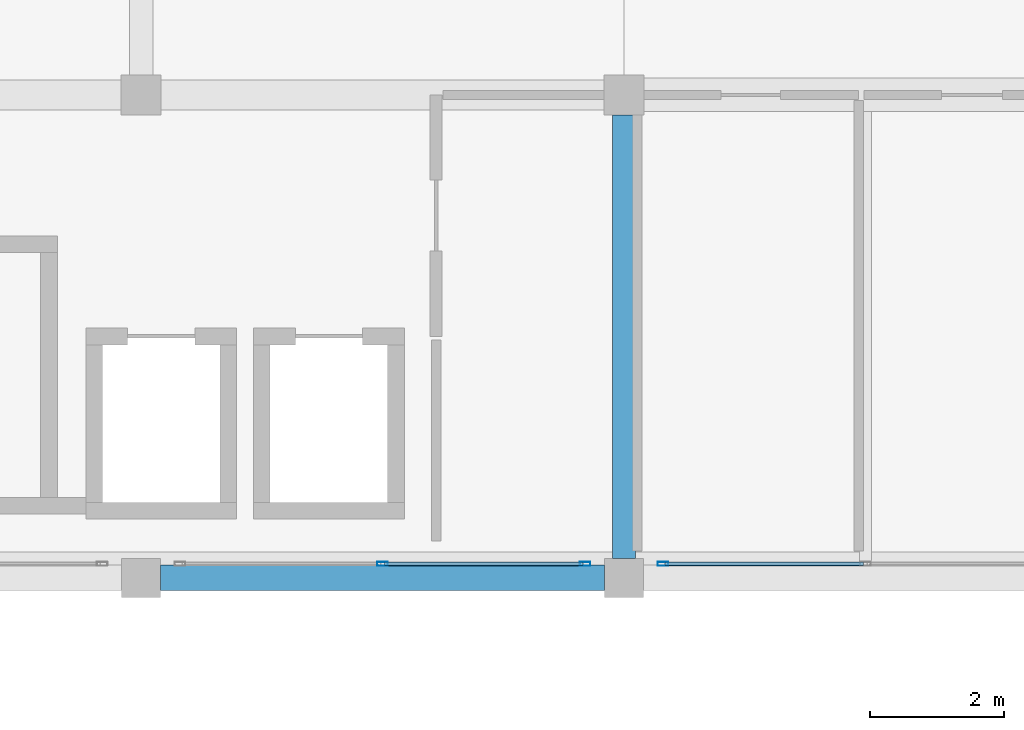
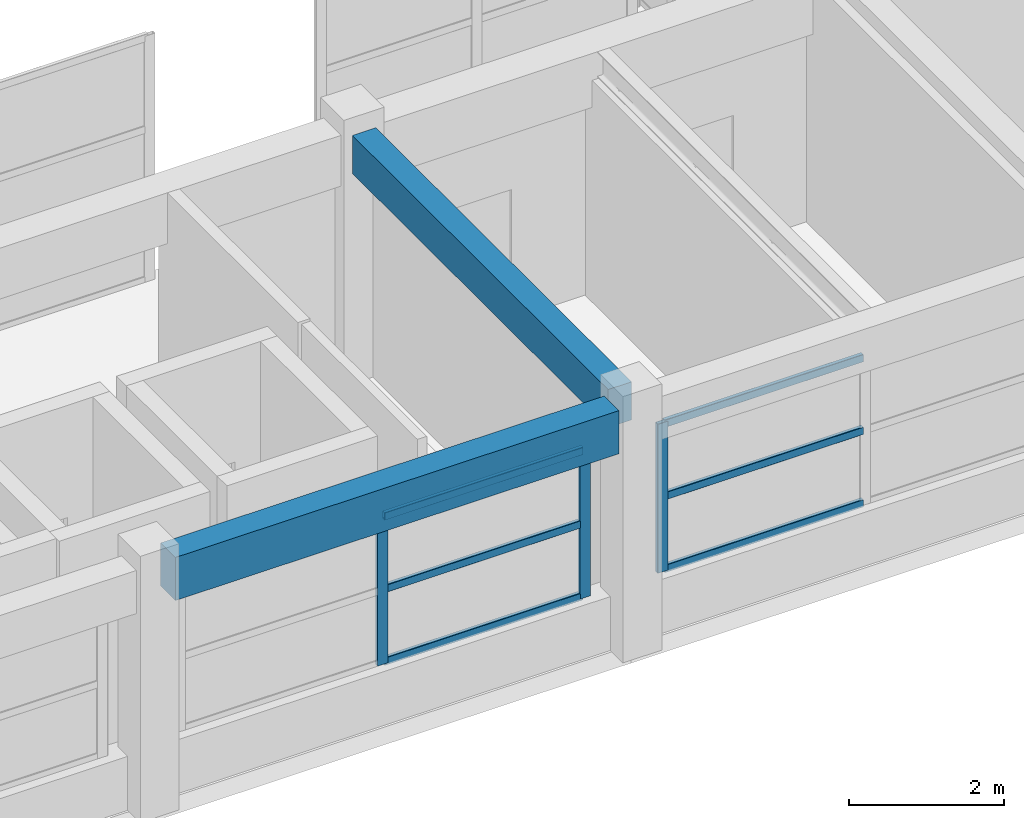
# One storey, part 10 of 49: 9 members, 2 beams, 2 elements without a shape of their own.
"""IFC4 building model written with IfcOpenShell, lengths in metres."""

import ifcopenshell
import ifcopenshell.guid

model = None  # the IFC model being written
_history = None  # IfcOwnerHistory: only IFC2X3 demands one
_inside = {}  # id of a spatial element -> (the spatial element, [elements in it])
_under = {}  # id of a project, library or spatial element -> (it, [spatial elements below it])
_declared = {}  # id of a project -> (the project, [libraries it declares])
_typed = {}  # id of a type object -> (the type object, [elements of that type])
_made_of = {}  # id of a material, layer set ... -> (it, [elements and type objects made of it])


def new_model(schema):
    """Start an empty IFC model of exactly this schema.

    Asked for "IFC4X3", IfcOpenShell would pick the latest addendum, in which some entities
    have other attributes; the version numbers below select the first issue.
    IFC2X3 requires an IfcOwnerHistory on every rooted entity: one is made here for all.
    """
    global model, _history
    if schema == "IFC4X3":
        model = ifcopenshell.file(schema_version=(4, 3, 0, 0))
    else:
        model = ifcopenshell.file(schema=schema)
    _inside.clear()
    _under.clear()
    _declared.clear()
    _typed.clear()
    _made_of.clear()
    _history = None
    if model.schema == "IFC2X3":
        org = make("IfcOrganization", Name="unknown")
        user = make(
            "IfcPersonAndOrganization",
            ThePerson=make("IfcPerson", FamilyName="unknown"),
            TheOrganization=org,
        )
        app = make(
            "IfcApplication",
            ApplicationDeveloper=org,
            Version="unknown",
            ApplicationFullName="unknown",
            ApplicationIdentifier="unknown",
        )
        _history = make(
            "IfcOwnerHistory",
            OwningUser=user,
            OwningApplication=app,
            ChangeAction="ADDED",
            CreationDate=0,
        )
    return model


def make(cls, **values):
    """One entity of the class cls with the attributes given. An attribute that is None is left unset."""
    return model.create_entity(
        cls, **{name: value for name, value in values.items() if value is not None}
    )


def rooted(cls, **values):
    """An entity with a GlobalId (a new one), such as an element, a storey or a relation."""
    return make(cls, GlobalId=ifcopenshell.guid.new(), OwnerHistory=_history, **values)


def si_unit(unit_type, name, prefix=None):
    """IfcSIUnit, for example si_unit("LENGTHUNIT", "METRE", prefix="MILLI")."""
    return make("IfcSIUnit", UnitType=unit_type, Prefix=prefix, Name=name)


def assignment(units):
    """IfcUnitAssignment: the units of a project."""
    return None if units is None else make("IfcUnitAssignment", Units=units)


def point(xyz):
    """IfcCartesianPoint."""
    return None if xyz is None else make("IfcCartesianPoint", Coordinates=xyz)


def direction(xyz):
    """IfcDirection."""
    return None if xyz is None else make("IfcDirection", DirectionRatios=xyz)


def frame(location, z_axis=None, x_axis=None):
    """IfcAxis2Placement3D, a coordinate frame: its origin and axes. An axis left out is left unset."""
    return make(
        "IfcAxis2Placement3D",
        Location=point(location),
        Axis=direction(z_axis),
        RefDirection=direction(x_axis),
    )


def frame_2d(location, x_axis=None):
    """IfcAxis2Placement2D, a coordinate frame in the plane: its origin and x axis."""
    return make(
        "IfcAxis2Placement2D", Location=point(location), RefDirection=direction(x_axis)
    )


def origin():
    """The frame at (0, 0, 0) with its axes left unset."""
    return frame((0.0, 0.0, 0.0))


def origin_2d():
    """The frame at (0, 0) in the plane with its x axis left unset."""
    return frame_2d((0.0, 0.0))


def place(relative_to, where):
    """IfcLocalPlacement: puts the frame where relative to a parent placement (None: the world)."""
    return make(
        "IfcLocalPlacement", PlacementRelTo=relative_to, RelativePlacement=where
    )


def context(
    kind, dimensions, precision=None, world=None, true_north=None, identifier=None
):
    """IfcGeometricRepresentationContext, for example the 3D "Model" context."""
    return make(
        "IfcGeometricRepresentationContext",
        ContextIdentifier=identifier,
        ContextType=kind,
        CoordinateSpaceDimension=dimensions,
        Precision=precision,
        WorldCoordinateSystem=world,
        TrueNorth=true_north,
    )


def subcontext(parent, identifier, kind, view, scale=None):
    """IfcGeometricRepresentationSubContext, for example "Body" below "Model"."""
    return make(
        "IfcGeometricRepresentationSubContext",
        ContextIdentifier=identifier,
        ContextType=kind,
        ParentContext=parent,
        TargetScale=scale,
        TargetView=view,
    )


def project(units=None, contexts=None):
    """IfcProject with its units and contexts."""
    return rooted(
        "IfcProject",
        Name="project",
        RepresentationContexts=contexts,
        UnitsInContext=assignment(units),
    )


def spatial(cls, under=None, at=None, **own):
    """A site, building, storey or space (cls), placed at a placement, below another one or the project."""
    s = rooted(cls, ObjectPlacement=at, **own)
    if under is not None:
        _under.setdefault(under.id(), (under, []))[1].append(s)
    return s


def profile(cls, at=None, kind="AREA", **sizes):
    """A parametric profile (cls). Its sizes go by their IFC names, for example OverallWidth=200.0."""
    return make(cls, ProfileType=kind, Position=at, **sizes)


def rectangle(**sizes):
    """IfcRectangleProfileDef."""
    return profile("IfcRectangleProfileDef", **sizes)


def hollow_rectangle(**sizes):
    """IfcRectangleHollowProfileDef."""
    return profile("IfcRectangleHollowProfileDef", **sizes)


def extrude(swept, where, along, depth):
    """IfcExtrudedAreaSolid: the profile swept, set in the frame where, extruded along a direction by depth."""
    return make(
        "IfcExtrudedAreaSolid",
        SweptArea=swept,
        Position=where,
        ExtrudedDirection=direction(along),
        Depth=depth,
    )


def shape(context_of_items, identifier, shape_type, items):
    """IfcShapeRepresentation: the items that make up one representation, for example the "Body"."""
    return make(
        "IfcShapeRepresentation",
        ContextOfItems=context_of_items,
        RepresentationIdentifier=identifier,
        RepresentationType=shape_type,
        Items=items,
    )


def material(Name=None, Category=None):
    """IfcMaterial."""
    return make("IfcMaterial", Name=Name, Category=Category)


def material_profile(
    of_material, cross_section, Name=None, Category=None, Priority=None
):
    """IfcMaterialProfile: a cross section and its material."""
    return make(
        "IfcMaterialProfile",
        Name=Name,
        Material=of_material,
        Profile=cross_section,
        Priority=Priority,
        Category=Category,
    )


def profile_set(profiles, Name=None, composite=None):
    """IfcMaterialProfileSet."""
    return make(
        "IfcMaterialProfileSet",
        Name=Name,
        MaterialProfiles=profiles,
        CompositeProfile=composite,
    )


def made_of(thing, what):
    """Note that an element or type object is made of a material, layer set ...; save() writes the relation."""
    if what is not None:
        _made_of.setdefault(what.id(), (what, []))[1].append(thing)
    return thing


def type_object(cls, material=None, **own):
    """A type object (cls), such as IfcWallType, which elements share."""
    return made_of(rooted(cls, **own), material)


def element(
    cls,
    number,
    at=None,
    inside=None,
    cuts=None,
    type_object=None,
    material=None,
    context=None,
    identifier="Body",
    shape_type=None,
    held_by="IfcProductDefinitionShape",
    body=None,
    shapes=None,
    **own,
):
    """One element of the class cls, such as IfcWall. Its Tag is "e" and its number.

    at: its placement. inside: the storey or other place that contains it. cuts: it is an
    opening in that element (IfcRelVoidsElement). A single representation is given by context,
    identifier, shape_type and body (its items); several are given by shapes. held_by: the class
    of the entity that holds the representations. save() writes the other relations.
    """
    e = rooted(cls, Tag="e%d" % number, ObjectPlacement=at, **own)
    if body is not None:
        shapes = [shape(context, identifier, shape_type, body)]
    if shapes is not None:
        e.Representation = make(held_by, Representations=shapes)
    if inside is not None:
        _inside.setdefault(inside.id(), (inside, []))[1].append(e)
    if cuts is not None:
        rooted(
            "IfcRelVoidsElement", RelatingBuildingElement=cuts, RelatedOpeningElement=e
        )
    if type_object is not None:
        _typed.setdefault(type_object.id(), (type_object, []))[1].append(e)
    return made_of(e, material)


def aggregate(whole, parts):
    """IfcRelAggregates: a whole, such as a stair, and the parts it consists of."""
    return rooted("IfcRelAggregates", RelatingObject=whole, RelatedObjects=parts)


def save(model, path):
    """Write the relations noted so far, then the file.

    IfcRelAggregates (storeys below a building ...), IfcRelContainedInSpatialStructure (elements
    in a storey), IfcRelDefinesByType, IfcRelAssociatesMaterial and IfcRelDeclares: one each for
    every whole, place, type object, material and project.
    """
    for whole, parts in _under.values():
        aggregate(whole, parts)
    for where, things in _inside.values():
        rooted(
            "IfcRelContainedInSpatialStructure",
            RelatedElements=things,
            RelatingStructure=where,
        )
    for kind, things in _typed.values():
        rooted("IfcRelDefinesByType", RelatedObjects=things, RelatingType=kind)
    for what, things in _made_of.values():
        rooted("IfcRelAssociatesMaterial", RelatedObjects=things, RelatingMaterial=what)
    for by, libraries in _declared.values():
        rooted("IfcRelDeclares", RelatingContext=by, RelatedDefinitions=libraries)
    model.write(path)


model = new_model("IFC4")

# Units and contexts
model_context = context("Model", 3, precision=1e-05, world=origin(), true_north=direction((0.0, 1.0)))
body_context = subcontext(model_context, "Body", "Model", "MODEL_VIEW")
ifc_project = project(units=[si_unit("LENGTHUNIT", "METRE"), si_unit("AREAUNIT", "SQUARE_METRE"), si_unit("VOLUMEUNIT", "CUBIC_METRE"), si_unit("PLANEANGLEUNIT", "RADIAN"), si_unit("MASSUNIT", "GRAM", prefix="KILO")], contexts=[model_context])

# Site, building, storey
site_placement = place(None, origin())
site = spatial("IfcSite", under=ifc_project, at=site_placement, CompositionType="ELEMENT")
building_placement = place(site_placement, origin())
building = spatial("IfcBuilding", under=site, at=building_placement, Name="Bramveld Media Centre", CompositionType="ELEMENT")
storey_placement = place(building_placement, frame((0.0, 0.0, 9.60009765625)))
storey = spatial("IfcBuildingStorey", under=building, at=storey_placement, Name="L02", CompositionType="ELEMENT", Elevation=9.60009765625)

# Beam
ifc_material_1 = material(Name="Concrete C40/50", Category="concrete")
ifc_material_profile_1 = material_profile(ifc_material_1, rectangle(XDim=0.35009765625, YDim=0.60009765625, at=origin_2d()), Name="RC 350x600")
ifc_profile_set_1 = profile_set([ifc_material_profile_1], Name="Concrete C40/50")
beam_type_1 = type_object("IfcBeamType", Name="BM-INT-RC-350x600", PredefinedType="BEAM", material=ifc_profile_set_1)
beam_1_placement = place(storey_placement, frame((87.199951171875, 90.68994140625, 3.619873046875), z_axis=(0.0, 1.0, 0.0), x_axis=(-1.0, 0.0, 0.0)))
element("IfcBeam", 1, at=beam_1_placement, inside=storey, type_object=beam_type_1, Name="V6 L02 girder Y-1102", PredefinedType="BEAM", context=body_context, shape_type="SweptSolid", body=[
    extrude(rectangle(XDim=0.35009765625, YDim=0.60009765625, at=origin_2d()), origin(), (0.0, 0.0, 1.0), 6.610107421875),
])

# Curtain wall, members
ifc_material_2 = material(Name="Thermally broken anodized bronze aluminium unitized curtain wall with solar-control triple glazing", Category="aluminium")
curtain_wall_type = type_object("IfcCurtainWallType", Name="CW-FACV6-6100x2350", PredefinedType="NOTDEFINED", material=ifc_material_2)
curtain_wall_1_placement = place(storey_placement, origin())
curtain_wall_1 = element("IfcCurtainWall", 2, at=curtain_wall_1_placement, inside=storey, type_object=curtain_wall_type, Name="V6 L02 S curtain wall bay 3", PredefinedType="NOTDEFINED")
ifc_material_3 = material(Name="Thermally broken anodized bronze aluminium EN AW-6063 T6 curtain-wall framing", Category="aluminium")
ifc_material_profile_2 = material_profile(ifc_material_3, hollow_rectangle(XDim=0.06005859375, YDim=0.159912109375, WallThickness=0.00390625, InnerFilletRadius=0.00390625, OuterFilletRadius=0.008056640625, at=origin_2d()), Name="AL-MULL 60x160")
ifc_profile_set_2 = profile_set([ifc_material_profile_2], Name="Thermally broken anodized bronze aluminium EN AW-6063 T6 curtain-wall framing")
member_type_1 = type_object("IfcMemberType", Name="CW-MULL-EXT", PredefinedType="MULLION", material=ifc_profile_set_2)
member_1_placement = place(storey_placement, frame((83.60009765625, 90.610107421875, 0.849853515625), z_axis=(0.0, 0.0, 1.0), x_axis=(0.0, 1.0, 0.0)))
member_1 = element("IfcMember", 3, at=member_1_placement, type_object=member_type_1, Name="CW-FA-6123 mullion 2", PredefinedType="MULLION", context=body_context, shape_type="SweptSolid", body=[
    extrude(hollow_rectangle(XDim=0.06005859375, YDim=0.159912109375, WallThickness=0.00390625, InnerFilletRadius=0.00390625, OuterFilletRadius=0.008056640625, at=origin_2d()), origin(), (0.0, 0.0, 1.0), 2.35009765625),
])
member_2_placement = place(storey_placement, frame((86.6201171875, 90.610107421875, 0.849853515625), z_axis=(0.0, 0.0, 1.0), x_axis=(0.0, 1.0, 0.0)))
member_2 = element("IfcMember", 4, at=member_2_placement, type_object=member_type_1, Name="CW-FA-6123 mullion 3", PredefinedType="MULLION", context=body_context, shape_type="SweptSolid", body=[
    extrude(hollow_rectangle(XDim=0.06005859375, YDim=0.159912109375, WallThickness=0.00390625, InnerFilletRadius=0.00390625, OuterFilletRadius=0.008056640625, at=origin_2d()), origin(), (0.0, 0.0, 1.0), 2.35009765625),
])

# Curtain wall, member
curtain_wall_2_placement = place(storey_placement, origin())
curtain_wall_2 = element("IfcCurtainWall", 5, at=curtain_wall_2_placement, inside=storey, type_object=curtain_wall_type, Name="V6 L02 S curtain wall bay 4", PredefinedType="NOTDEFINED")
member_3_placement = place(storey_placement, frame((87.780029296875, 90.610107421875, 0.849853515625), z_axis=(0.0, 0.0, 1.0), x_axis=(0.0, 1.0, 0.0)))
member_3 = element("IfcMember", 6, at=member_3_placement, type_object=member_type_1, Name="CW-FA-6123 mullion 1", PredefinedType="MULLION", context=body_context, shape_type="SweptSolid", body=[
    extrude(hollow_rectangle(XDim=0.06005859375, YDim=0.159912109375, WallThickness=0.00390625, InnerFilletRadius=0.00390625, OuterFilletRadius=0.008056640625, at=origin_2d()), origin(), (0.0, 0.0, 1.0), 2.35009765625),
])

# Member
ifc_material_4 = material(Name="Thermally broken anodized bronze aluminium EN AW-6063 T6 curtain-wall framing", Category="aluminium")
ifc_material_profile_3 = material_profile(ifc_material_4, hollow_rectangle(XDim=0.06005859375, YDim=0.1201171875, WallThickness=0.00341796875, InnerFilletRadius=0.00341796875, OuterFilletRadius=0.007080078125, at=origin_2d()), Name="AL-TRAN 60x120")
ifc_profile_set_3 = profile_set([ifc_material_profile_3], Name="Thermally broken anodized bronze aluminium EN AW-6063 T6 curtain-wall framing")
member_type_2 = type_object("IfcMemberType", Name="CW-TRAN-EXT", PredefinedType="USERDEFINED", material=ifc_profile_set_3)
member_4_placement = place(storey_placement, frame((83.6298828125, 90.610107421875, 0.8798828125), z_axis=(1.0, 0.0, 0.0), x_axis=(0.0, 1.0, 0.0)))
member_4 = element("IfcMember", 7, at=member_4_placement, type_object=member_type_2, Name="CW-FA-6123 transom 2.1", ObjectType="TRANSOM", PredefinedType="USERDEFINED", context=body_context, shape_type="SweptSolid", body=[
    extrude(hollow_rectangle(XDim=0.06005859375, YDim=0.1201171875, WallThickness=0.00341796875, InnerFilletRadius=0.00341796875, OuterFilletRadius=0.007080078125, at=origin_2d()), origin(), (0.0, 0.0, 1.0), 2.960205078125),
])

member_5_placement = place(storey_placement, frame((83.6298828125, 90.610107421875, 2.02490234375), z_axis=(1.0, 0.0, 0.0), x_axis=(0.0, 1.0, 0.0)))
member_5 = element("IfcMember", 8, at=member_5_placement, type_object=member_type_2, Name="CW-FA-6123 transom 2.2", ObjectType="TRANSOM", PredefinedType="USERDEFINED", context=body_context, shape_type="SweptSolid", body=[
    extrude(hollow_rectangle(XDim=0.06005859375, YDim=0.1201171875, WallThickness=0.00341796875, InnerFilletRadius=0.00341796875, OuterFilletRadius=0.007080078125, at=origin_2d()), origin(), (0.0, 0.0, 1.0), 2.960205078125),
])

member_6_placement = place(storey_placement, frame((83.6298828125, 90.610107421875, 3.169921875), z_axis=(1.0, 0.0, 0.0), x_axis=(0.0, 1.0, 0.0)))
member_6 = element("IfcMember", 9, at=member_6_placement, type_object=member_type_2, Name="CW-FA-6123 transom 2.3", ObjectType="TRANSOM", PredefinedType="USERDEFINED", context=body_context, shape_type="SweptSolid", body=[
    extrude(hollow_rectangle(XDim=0.06005859375, YDim=0.1201171875, WallThickness=0.00341796875, InnerFilletRadius=0.00341796875, OuterFilletRadius=0.007080078125, at=origin_2d()), origin(), (0.0, 0.0, 1.0), 2.960205078125),
])

aggregate(curtain_wall_1, [member_1, member_2, member_4, member_5, member_6])

member_7_placement = place(storey_placement, frame((87.81005859375, 90.610107421875, 0.8798828125), z_axis=(1.0, 0.0, 0.0), x_axis=(0.0, 1.0, 0.0)))
member_7 = element("IfcMember", 10, at=member_7_placement, type_object=member_type_2, Name="CW-FA-6123 transom 1.1", ObjectType="TRANSOM", PredefinedType="USERDEFINED", context=body_context, shape_type="SweptSolid", body=[
    extrude(hollow_rectangle(XDim=0.06005859375, YDim=0.1201171875, WallThickness=0.00341796875, InnerFilletRadius=0.00341796875, OuterFilletRadius=0.007080078125, at=origin_2d()), origin(), (0.0, 0.0, 1.0), 2.9599609375),
])

member_8_placement = place(storey_placement, frame((87.81005859375, 90.610107421875, 2.02490234375), z_axis=(1.0, 0.0, 0.0), x_axis=(0.0, 1.0, 0.0)))
member_8 = element("IfcMember", 11, at=member_8_placement, type_object=member_type_2, Name="CW-FA-6123 transom 1.2", ObjectType="TRANSOM", PredefinedType="USERDEFINED", context=body_context, shape_type="SweptSolid", body=[
    extrude(hollow_rectangle(XDim=0.06005859375, YDim=0.1201171875, WallThickness=0.00341796875, InnerFilletRadius=0.00341796875, OuterFilletRadius=0.007080078125, at=origin_2d()), origin(), (0.0, 0.0, 1.0), 2.9599609375),
])

member_9_placement = place(storey_placement, frame((87.81005859375, 90.610107421875, 3.169921875), z_axis=(1.0, 0.0, 0.0), x_axis=(0.0, 1.0, 0.0)))
member_9 = element("IfcMember", 12, at=member_9_placement, type_object=member_type_2, Name="CW-FA-6123 transom 1.3", ObjectType="TRANSOM", PredefinedType="USERDEFINED", context=body_context, shape_type="SweptSolid", body=[
    extrude(hollow_rectangle(XDim=0.06005859375, YDim=0.1201171875, WallThickness=0.00341796875, InnerFilletRadius=0.00341796875, OuterFilletRadius=0.007080078125, at=origin_2d()), origin(), (0.0, 0.0, 1.0), 2.9599609375),
])

aggregate(curtain_wall_2, [member_3, member_7, member_8, member_9])

# Beam
ifc_material_5 = material(Name="Concrete C40/50", Category="concrete")
ifc_material_profile_4 = material_profile(ifc_material_5, rectangle(XDim=0.3798828125, YDim=0.679931640625, at=origin_2d()), Name="RC 380x680")
ifc_profile_set_4 = profile_set([ifc_material_profile_4], Name="Concrete C40/50")
beam_type_2 = type_object("IfcBeamType", Name="SPANDREL-EXT-RC-380x680", PredefinedType="SPANDREL", material=ifc_profile_set_4)
beam_2_placement = place(storey_placement, frame((80.2900390625, 90.39990234375, 3.579833984375), z_axis=(1.0, 0.0, 0.0), x_axis=(0.0, 1.0, 0.0)))
element("IfcBeam", 13, at=beam_2_placement, inside=storey, type_object=beam_type_2, Name="V6 L02 girder X-1066", PredefinedType="SPANDREL", context=body_context, shape_type="SweptSolid", body=[
    extrude(rectangle(XDim=0.3798828125, YDim=0.679931640625, at=origin_2d()), origin(), (0.0, 0.0, 1.0), 6.619873046875),
])

save(model, "model.ifc")
